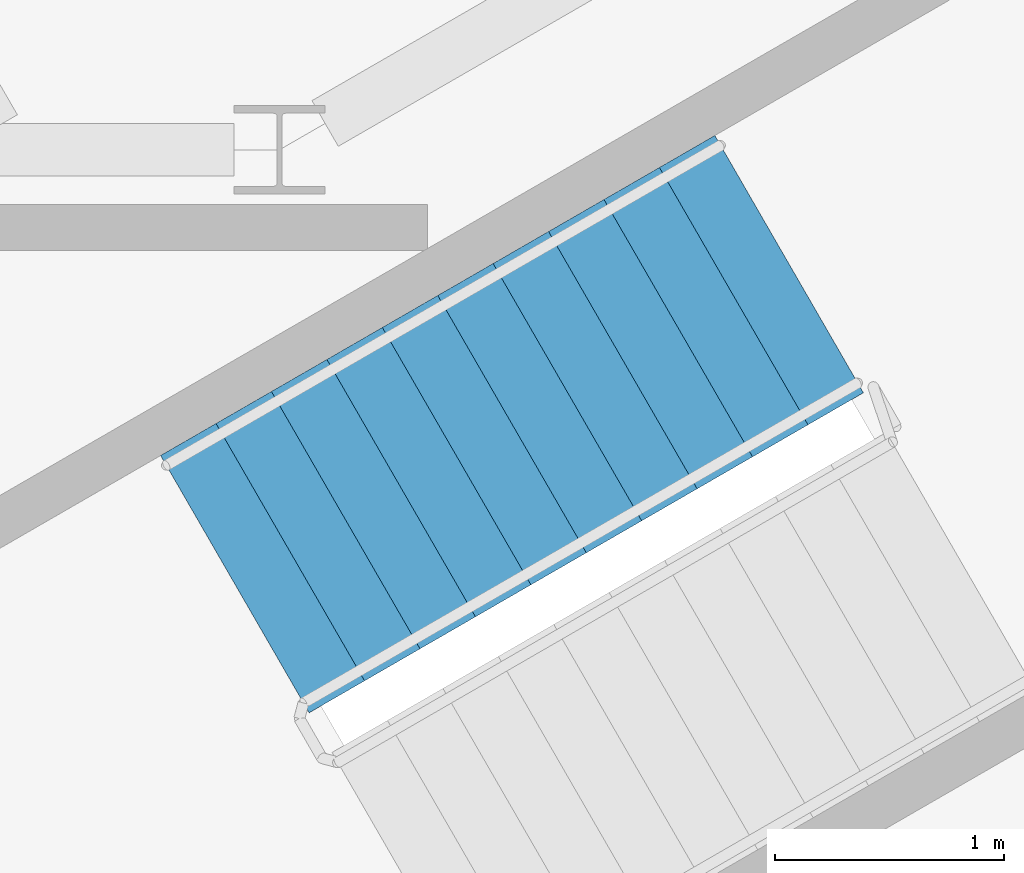
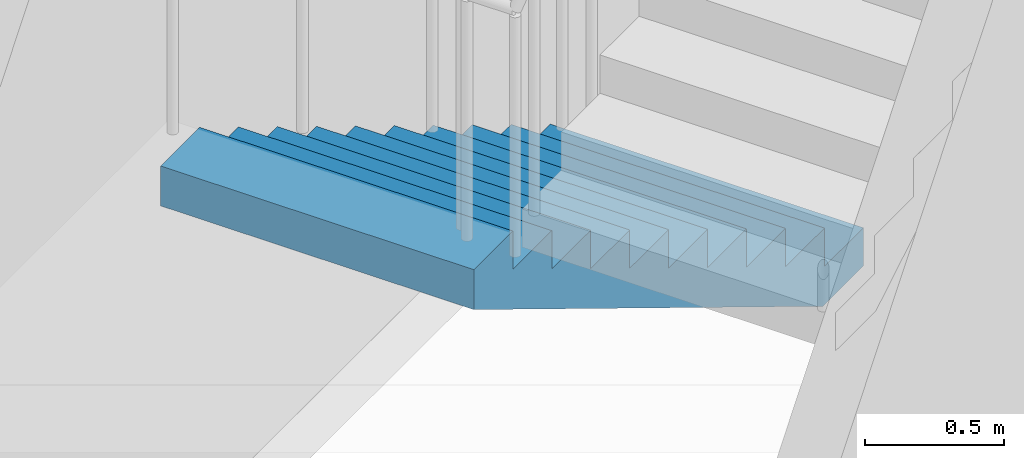
# One storey, part 12 of 14: 1 stair flight, 1 element without a shape of its own.
"""IFC4 building model written with IfcOpenShell, lengths in metres."""

from ifc_helpers import new_model, si_unit, direction, frame, origin, place, context, subcontext, project, spatial, polyline, outline, extrude, material, type_object, element, aggregate, save


model = new_model("IFC4")

# Units and contexts
model_context = context("Model", 3, precision=1e-05, world=origin(), true_north=direction((0.0, 1.0)))
body_context = subcontext(model_context, "Body", "Model", "MODEL_VIEW")
ifc_project = project(units=[si_unit("LENGTHUNIT", "METRE"), si_unit("AREAUNIT", "SQUARE_METRE"), si_unit("VOLUMEUNIT", "CUBIC_METRE"), si_unit("PLANEANGLEUNIT", "RADIAN"), si_unit("MASSUNIT", "GRAM", prefix="KILO")], contexts=[model_context])

# Site, building, storey
site_placement = place(None, origin())
site = spatial("IfcSite", under=ifc_project, at=site_placement, CompositionType="ELEMENT")
building_placement = place(site_placement, origin())
building = spatial("IfcBuilding", under=site, at=building_placement, Name="Verrane Prism Tower", CompositionType="ELEMENT")
storey_placement = place(building_placement, frame((0.0, 0.0, 206.39990234375)))
storey = spatial("IfcBuildingStorey", under=building, at=storey_placement, Name="L51", CompositionType="ELEMENT", Elevation=206.39990234375)

# Stair, stair flight
ifc_material_1 = material(Name="Concrete C40/50", Category="concrete")
stair_type = type_object("IfcStairType", Name="Exit stair 1300 dog-leg precast concrete C40/50", PredefinedType="HALF_TURN_STAIR", material=ifc_material_1)
stair_placement = place(storey_placement, origin())
stair = element("IfcStair", 1, at=stair_placement, inside=storey, type_object=stair_type, Name="Stair 1 L51", PredefinedType="HALF_TURN_STAIR")
ifc_material_2 = material(Name="Concrete C40/50", Category="concrete")
stair_flight_type = type_object("IfcStairFlightType", Name="Stair flight 1300 precast concrete C40/50", PredefinedType="STRAIGHT", material=ifc_material_2)
stair_flight_placement = place(storey_placement, frame((11.489501953125, 7.49951171875, 0.0), z_axis=(0.0, 0.0, 1.0), x_axis=(-0.866025403784, -0.5, 0.0)))
stair_flight = element("IfcStairFlight", 2, at=stair_flight_placement, type_object=stair_flight_type, Name="Stair 1 flight 1", NumberOfRisers=11, NumberOfTreads=10, PredefinedType="STRAIGHT", RiserHeight=0.168181818, TreadLength=0.28, context=body_context, shape_type="SweptSolid", body=[
    extrude(outline(polyline([(0.0, 0.0), (0.0, 0.168212890625), (0.280029296875, 0.168212890625), (0.280029296875, 0.33642578125), (0.56005859375, 0.33642578125), (0.56005859375, 0.504638671875), (0.840087890625, 0.504638671875), (0.840087890625, 0.672607421875), (1.1201171875, 0.672607421875), (1.1201171875, 0.8408203125), (1.39990234375, 0.8408203125), (1.39990234375, 1.009033203125), (1.679931640625, 1.009033203125), (1.679931640625, 1.17724609375), (1.9599609375, 1.17724609375), (1.9599609375, 1.345458984375), (2.239990234375, 1.345458984375), (2.239990234375, 1.513671875), (2.52001953125, 1.513671875), (2.52001953125, 1.681884765625), (2.800048828125, 1.681884765625), (2.800048828125, 1.85009765625), (2.800048828125, 1.5068359375), (0.291015625, 0.0), (0.0, 0.0)])), frame((0.0, 0.64990234375, 0.0), z_axis=(0.0, -1.0, 0.0), x_axis=(1.0, 0.0, 0.0)), (0.0, 0.0, 1.0), 1.300048828125),
])
aggregate(stair, [stair_flight])

save(model, "model.ifc")
